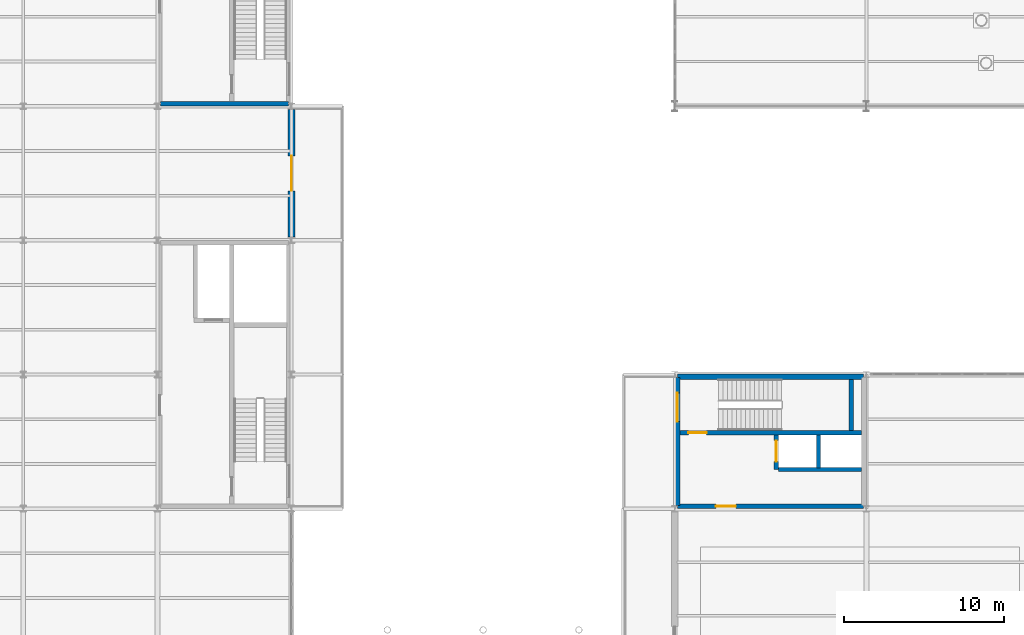
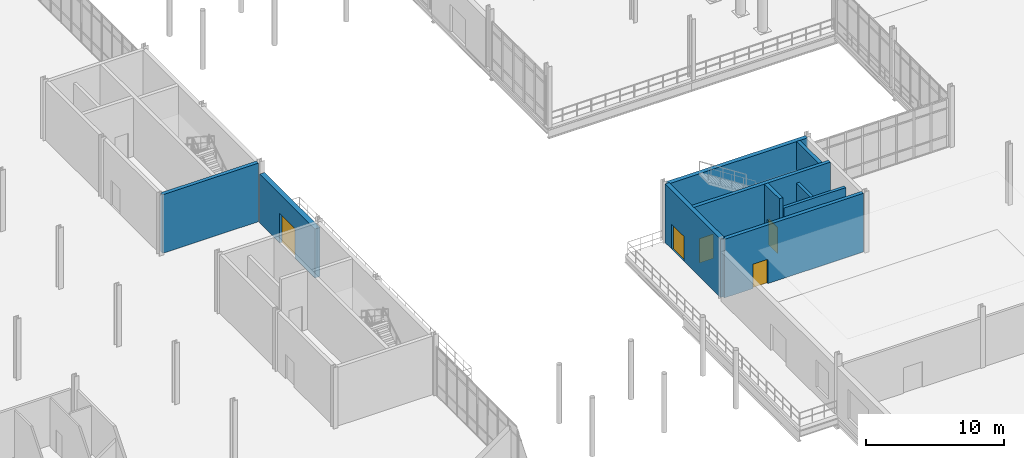
# One storey, part 98 of 111: 10 walls, 5 doors, 5 openings.
"""IFC4 building model written with IfcOpenShell, lengths in metres."""

from ifc_helpers import new_model, si_unit, direction, frame, frame_2d, origin, place, context, subcontext, project, spatial, rectangle, extrude, material, layer, layer_set, type_object, element, fill, save


model = new_model("IFC4")

# Units and contexts
model_context = context("Model", 3, precision=1e-05, world=origin(), true_north=direction((0.0, 1.0)))
body_context = subcontext(model_context, "Body", "Model", "MODEL_VIEW")
ifc_project = project(units=[si_unit("LENGTHUNIT", "METRE"), si_unit("AREAUNIT", "SQUARE_METRE"), si_unit("VOLUMEUNIT", "CUBIC_METRE"), si_unit("PLANEANGLEUNIT", "RADIAN"), si_unit("MASSUNIT", "GRAM", prefix="KILO"), si_unit("THERMODYNAMICTEMPERATUREUNIT", "KELVIN"), si_unit("POWERUNIT", "WATT")], contexts=[model_context])

# Site, building, storey
site_placement = place(None, origin())
site = spatial("IfcSite", under=ifc_project, at=site_placement, CompositionType="ELEMENT")
building_placement = place(site_placement, origin())
building = spatial("IfcBuilding", under=site, at=building_placement, Name="Tembeka Court Mobility Hub", CompositionType="ELEMENT")
storey_placement = place(building_placement, origin())
storey = spatial("IfcBuildingStorey", under=building, at=storey_placement, Name="L00", CompositionType="ELEMENT", Elevation=0.0)

# Wall, opening, door
ifc_material_1 = material(Name="Insulated Nairobi volcanic-tuff masonry", Category="masonry")
ifc_layer_1 = layer(ifc_material_1, 0.419921875)
ifc_layer_set_1 = layer_set([ifc_layer_1], Name="Insulated Nairobi volcanic-tuff masonry")
wall_type_1 = type_object("IfcWallType", Name="WL-EW01", PredefinedType="STANDARD", material=ifc_layer_set_1)
wall_1_placement = place(storey_placement, frame((92.39990234375, 55.39501953125, 0.0), z_axis=(0.0, 0.0, 1.0), x_axis=(0.0, 1.0, 0.0)))
wall_1 = element("IfcWall", 1, at=wall_1_placement, inside=storey, type_object=wall_type_1, Name="External wall EW01 (EW-L00-0068)", PredefinedType="STANDARD", context=body_context, shape_type="SweptSolid", body=[
    extrude(rectangle(XDim=8.010009765625, YDim=0.419921875, at=frame_2d((4.0048828125, 0.0))), origin(), (0.0, 0.0, 1.0), 4.3349609375),
])
opening_1_placement = place(wall_1_placement, frame((2.89990234375, 0.0, 0.0)))
opening_1 = element("IfcOpeningElement", 2, at=opening_1_placement, cuts=wall_1, Name="Opening E11", PredefinedType="OPENING", context=body_context, shape_type="SweptSolid", body=[
    extrude(rectangle(XDim=2.199951171875, YDim=2.60009765625, at=frame_2d((1.10009765625, 1.300048828125))), frame((0.0, 0.219970703125, 0.0), z_axis=(0.0, -1.0, 0.0), x_axis=(1.0, 0.0, 0.0)), (0.0, 0.0, 1.0), 0.43994140625),
])
ifc_material_2 = material(Name="Powder-coated aluminium glazed doorset", Category="aluminium")
door_type_1 = type_object("IfcDoorType", Name="DR-E11", OperationType="NOTDEFINED", PredefinedType="DOOR", material=ifc_material_2)
door_1_placement = place(opening_1_placement, frame((2.199951171875, 0.0, 0.0), z_axis=(0.0, 0.0, 1.0), x_axis=(-1.0, 0.0, 0.0)))
door_1 = element("IfcDoor", 3, at=door_1_placement, inside=storey, type_object=door_type_1, Name="Main entrance E11 central transit court", OperationType="DOUBLE_DOOR_SINGLE_SWING", OverallHeight=2.60009765625, OverallWidth=2.199951171875, PredefinedType="DOOR", context=body_context, shape_type="SweptSolid", body=[
    extrude(rectangle(XDim=2.199951171875, YDim=2.60009765625, at=frame_2d((1.10009765625, 1.300048828125))), frame((0.0, 0.02490234375, 0.0), z_axis=(0.0, -1.0, 0.0), x_axis=(1.0, 0.0, 0.0)), (0.0, 0.0, 1.0), 0.050048828125),
])
fill(opening_1, door_1)

# Walls
ifc_material_3 = material(Name="Concrete C40/50", Category="concrete")
ifc_layer_2 = layer(ifc_material_3, 0.25)
ifc_layer_set_2 = layer_set([ifc_layer_2], Name="Concrete C40/50")
wall_type_2 = type_object("IfcWallType", Name="WL-IW01", PredefinedType="PARTITIONING", material=ifc_layer_set_2)
wall_2_placement = place(storey_placement, frame((122.89990234375, 40.85009765625, 0.0), z_axis=(0.0, 0.0, 1.0), x_axis=(1.0, 0.0, 0.0)))
element("IfcWall", 4, at=wall_2_placement, inside=storey, type_object=wall_type_2, Name="Wall IW01 (IW-L00-0265)", PredefinedType="PARTITIONING", context=body_context, shape_type="SweptSolid", body=[
    extrude(rectangle(XDim=5.2001953125, YDim=0.25, at=frame_2d((2.60009765625, 0.0))), origin(), (0.0, 0.0, 1.0), 4.324951171875),
])
wall_3_placement = place(storey_placement, frame((125.39990234375, 40.949951171875, 0.0), z_axis=(0.0, 0.0, 1.0), x_axis=(0.0, 1.0, 0.0)))
element("IfcWall", 5, at=wall_3_placement, inside=storey, type_object=wall_type_2, Name="Wall IW01 (IW-L00-0266)", PredefinedType="PARTITIONING", context=body_context, shape_type="SweptSolid", body=[
    extrude(rectangle(XDim=2.050048828125, YDim=0.25, at=frame_2d((1.02490234375, 0.0))), origin(), (0.0, 0.0, 1.0), 4.324951171875),
])
ifc_layer_3 = layer(ifc_material_3, 0.300048828125)
ifc_layer_set_3 = layer_set([ifc_layer_3], Name="Concrete C40/50")
wall_type_3 = type_object("IfcWallType", Name="WL-SW01", PredefinedType="SHEAR", material=ifc_layer_set_3)
wall_4_placement = place(storey_placement, frame((84.197509765625, 63.75, 0.0), z_axis=(0.0, 0.0, 1.0), x_axis=(1.0, 0.0, 0.0)))
element("IfcWall", 6, at=wall_4_placement, inside=storey, type_object=wall_type_3, Name="Wall SW01 (IW-L00-0073)", PredefinedType="SHEAR", context=body_context, shape_type="SweptSolid", body=[
    extrude(rectangle(XDim=8.0048828125, YDim=0.300048828125, at=frame_2d((4.00244140625, 0.0))), origin(), (0.0, 0.0, 1.0), 5.179931640625),
])

# Wall, opening, door
wall_5_placement = place(storey_placement, frame((116.58447265625, 38.550048828125, 0.0), z_axis=(0.0, 0.0, 1.0), x_axis=(1.0, 0.0, 0.0)))
wall_5 = element("IfcWall", 7, at=wall_5_placement, inside=storey, type_object=wall_type_3, Name="Wall SW01 (IW-L00-0259)", PredefinedType="SHEAR", context=body_context, shape_type="SweptSolid", body=[
    extrude(rectangle(XDim=11.631103515625, YDim=0.300048828125, at=frame_2d((5.8154296875, 0.0))), origin(), (0.0, 0.0, 1.0), 5.179931640625),
])
opening_2_placement = place(wall_5_placement, frame((2.3955078125, 0.0, 0.0)))
opening_2 = element("IfcOpeningElement", 8, at=opening_2_placement, cuts=wall_5, Name="Opening FD01", PredefinedType="OPENING", context=body_context, shape_type="SweptSolid", body=[
    extrude(rectangle(XDim=1.25, YDim=2.14990234375, at=frame_2d((0.625, 1.074951171875))), frame((0.0, 0.16015625, 0.0), z_axis=(0.0, -1.0, 0.0), x_axis=(1.0, 0.0, 0.0)), (0.0, 0.0, 1.0), 0.320068359375),
])
ifc_material_4 = material(Name="Galvanised steel fire/shutter doorset", Category="steel")
door_type_2 = type_object("IfcDoorType", Name="DR-FD01", OperationType="NOTDEFINED", PredefinedType="DOOR", material=ifc_material_4)
door_2_placement = place(opening_2_placement, origin())
door_2 = element("IfcDoor", 9, at=door_2_placement, inside=storey, type_object=door_type_2, Name="Door FD01-0117", OperationType="SINGLE_SWING_RIGHT", OverallHeight=2.14990234375, OverallWidth=1.25, PredefinedType="DOOR", context=body_context, shape_type="SweptSolid", body=[
    extrude(rectangle(XDim=1.25, YDim=2.14990234375, at=frame_2d((0.625, 1.074951171875))), frame((0.0, 0.02490234375, 0.0), z_axis=(0.0, -1.0, 0.0), x_axis=(1.0, 0.0, 0.0)), (0.0, 0.0, 1.0), 0.050048828125),
])
fill(opening_2, door_2)

# Wall
wall_6_placement = place(storey_placement, frame((127.449951171875, 43.300048828125, 0.0), z_axis=(0.0, 0.0, 1.0), x_axis=(0.0, 1.0, 0.0)))
element("IfcWall", 10, at=wall_6_placement, inside=storey, type_object=wall_type_3, Name="Wall SW01 (IW-L00-0262)", PredefinedType="SHEAR", context=body_context, shape_type="SweptSolid", body=[
    extrude(rectangle(XDim=3.199951171875, YDim=0.300048828125, at=frame_2d((1.60009765625, 0.0))), origin(), (0.0, 0.0, 1.0), 5.179931640625),
])

# Wall, opening, door
wall_7_placement = place(storey_placement, frame((116.699951171875, 43.14990234375, 0.0), z_axis=(0.0, 0.0, 1.0), x_axis=(1.0, 0.0, 0.0)))
wall_7 = element("IfcWall", 11, at=wall_7_placement, inside=storey, type_object=wall_type_3, Name="Wall SW01 (IW-L00-0263)", PredefinedType="SHEAR", context=body_context, shape_type="SweptSolid", body=[
    extrude(rectangle(XDim=11.400146484375, YDim=0.300048828125, at=frame_2d((5.7001953125, 0.0))), origin(), (0.0, 0.0, 1.0), 5.179931640625),
])
opening_3_placement = place(wall_7_placement, frame((0.550048828125, 0.0, 0.0)))
opening_3 = element("IfcOpeningElement", 12, at=opening_3_placement, cuts=wall_7, Name="Opening FD03", PredefinedType="OPENING", context=body_context, shape_type="SweptSolid", body=[
    extrude(rectangle(XDim=1.14990234375, YDim=2.14990234375, at=frame_2d((0.574951171875, 1.074951171875))), frame((0.0, 0.16015625, 0.0), z_axis=(0.0, -1.0, 0.0), x_axis=(1.0, 0.0, 0.0)), (0.0, 0.0, 1.0), 0.320068359375),
])
door_type_3 = type_object("IfcDoorType", Name="DR-FD03", OperationType="NOTDEFINED", PredefinedType="DOOR", material=ifc_material_4)
door_3_placement = place(opening_3_placement, origin())
door_3 = element("IfcDoor", 13, at=door_3_placement, inside=storey, type_object=door_type_3, Name="Door FD03-0119", OperationType="SINGLE_SWING_LEFT", OverallHeight=2.14990234375, OverallWidth=1.14990234375, PredefinedType="DOOR", context=body_context, shape_type="SweptSolid", body=[
    extrude(rectangle(XDim=1.14990234375, YDim=2.14990234375, at=frame_2d((0.574951171875, 1.074951171875))), frame((0.0, 0.02490234375, 0.0), z_axis=(0.0, -1.0, 0.0), x_axis=(1.0, 0.0, 0.0)), (0.0, 0.0, 1.0), 0.050048828125),
])
fill(opening_3, door_3)

wall_8_placement = place(storey_placement, frame((122.75, 40.85009765625, 0.0), z_axis=(0.0, 0.0, 1.0), x_axis=(0.0, 1.0, 0.0)))
wall_8 = element("IfcWall", 14, at=wall_8_placement, inside=storey, type_object=wall_type_3, Name="Wall SW01 (IW-L00-0264)", PredefinedType="SHEAR", context=body_context, shape_type="SweptSolid", body=[
    extrude(rectangle(XDim=2.14990234375, YDim=0.300048828125, at=frame_2d((1.074951171875, 0.0))), origin(), (0.0, 0.0, 1.0), 5.179931640625),
])
opening_4_placement = place(wall_8_placement, frame((0.5, 0.0, 0.0)))
opening_4 = element("IfcOpeningElement", 15, at=opening_4_placement, cuts=wall_8, Name="Opening LD02", PredefinedType="OPENING", context=body_context, shape_type="SweptSolid", body=[
    extrude(rectangle(XDim=1.300048828125, YDim=2.300048828125, at=frame_2d((0.64990234375, 1.14990234375))), frame((0.0, 0.16015625, 0.0), z_axis=(0.0, -1.0, 0.0), x_axis=(1.0, 0.0, 0.0)), (0.0, 0.0, 1.0), 0.320068359375),
])
door_type_4 = type_object("IfcDoorType", Name="DR-LD02", OperationType="SLIDING_TO_LEFT", PredefinedType="DOOR", material=ifc_material_4)
door_4_placement = place(opening_4_placement, origin())
door_4 = element("IfcDoor", 16, at=door_4_placement, inside=storey, type_object=door_type_4, Name="Lift LF07 landing door L00", OperationType="SLIDING_TO_LEFT", OverallHeight=2.300048828125, OverallWidth=1.300048828125, PredefinedType="DOOR", context=body_context, shape_type="SweptSolid", body=[
    extrude(rectangle(XDim=1.300048828125, YDim=2.300048828125, at=frame_2d((0.64990234375, 1.14990234375))), frame((0.0, 0.02490234375, 0.0), z_axis=(0.0, -1.0, 0.0), x_axis=(1.0, 0.0, 0.0)), (0.0, 0.0, 1.0), 0.050048828125),
])
fill(opening_4, door_4)

# Wall
ifc_layer_4 = layer(ifc_material_3, 0.35009765625)
ifc_layer_set_4 = layer_set([ifc_layer_4], Name="Concrete C40/50")
wall_type_4 = type_object("IfcWallType", Name="WL-SW02", PredefinedType="SHEAR", material=ifc_layer_set_4)
wall_9_placement = place(storey_placement, frame((116.58447265625, 46.64990234375, 0.0), z_axis=(0.0, 0.0, 1.0), x_axis=(1.0, 0.0, 0.0)))
element("IfcWall", 17, at=wall_9_placement, inside=storey, type_object=wall_type_4, Name="Wall SW02 (IW-L00-0258)", PredefinedType="SHEAR", context=body_context, shape_type="SweptSolid", body=[
    extrude(rectangle(XDim=11.631103515625, YDim=0.35009765625, at=frame_2d((5.8154296875, 0.0))), origin(), (0.0, 0.0, 1.0), 5.179931640625),
])

# Wall, opening, door
wall_10_placement = place(storey_placement, frame((116.550048828125, 38.58203125, 0.0), z_axis=(0.0, 0.0, 1.0), x_axis=(0.0, 1.0, 0.0)))
wall_10 = element("IfcWall", 18, at=wall_10_placement, inside=storey, type_object=wall_type_4, Name="Wall SW02 (IW-L00-0260)", PredefinedType="SHEAR", context=body_context, shape_type="SweptSolid", body=[
    extrude(rectangle(XDim=8.035888671875, YDim=0.35009765625, at=frame_2d((4.01806640625, 0.0))), origin(), (0.0, 0.0, 1.0), 5.179931640625),
])
opening_5_placement = place(wall_10_placement, frame((5.26806640625, 0.0, 0.0)))
opening_5 = element("IfcOpeningElement", 19, at=opening_5_placement, cuts=wall_10, Name="Opening E05", PredefinedType="OPENING", context=body_context, shape_type="SweptSolid", body=[
    extrude(rectangle(XDim=1.800048828125, YDim=2.199951171875, at=frame_2d((0.89990234375, 1.10009765625))), frame((0.0, 0.18505859375, 0.0), z_axis=(0.0, -1.0, 0.0), x_axis=(1.0, 0.0, 0.0)), (0.0, 0.0, 1.0), 0.3701171875),
])
door_type_5 = type_object("IfcDoorType", Name="DR-E05", OperationType="NOTDEFINED", PredefinedType="DOOR", material=ifc_material_2)
door_5_placement = place(opening_5_placement, origin())
door_5 = element("IfcDoor", 20, at=door_5_placement, inside=storey, type_object=door_type_5, Name="Final exit E05 from Stair ST05", OperationType="DOUBLE_DOOR_SINGLE_SWING", OverallHeight=2.199951171875, OverallWidth=1.800048828125, PredefinedType="DOOR", context=body_context, shape_type="SweptSolid", body=[
    extrude(rectangle(XDim=1.800048828125, YDim=2.199951171875, at=frame_2d((0.89990234375, 1.10009765625))), frame((0.0, 0.02490234375, 0.0), z_axis=(0.0, -1.0, 0.0), x_axis=(1.0, 0.0, 0.0)), (0.0, 0.0, 1.0), 0.050048828125),
])
fill(opening_5, door_5)

save(model, "model.ifc")
